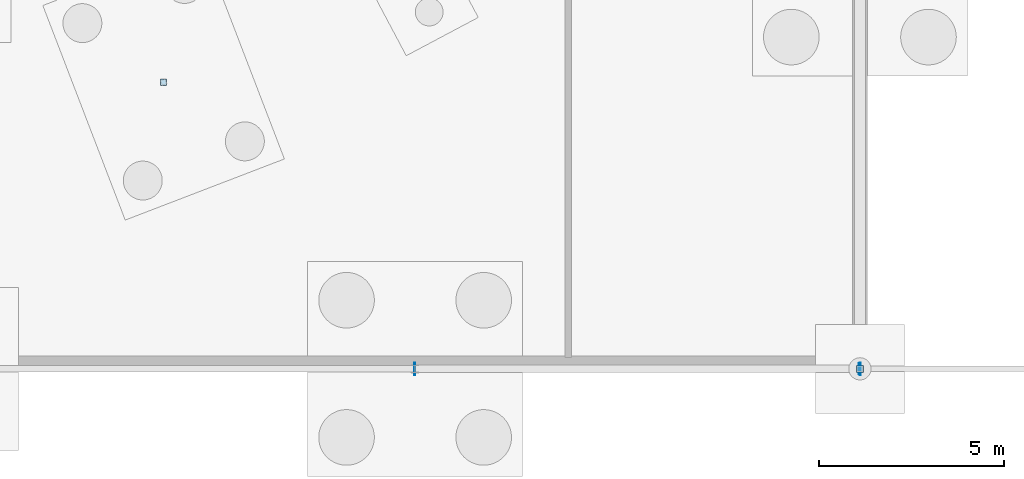
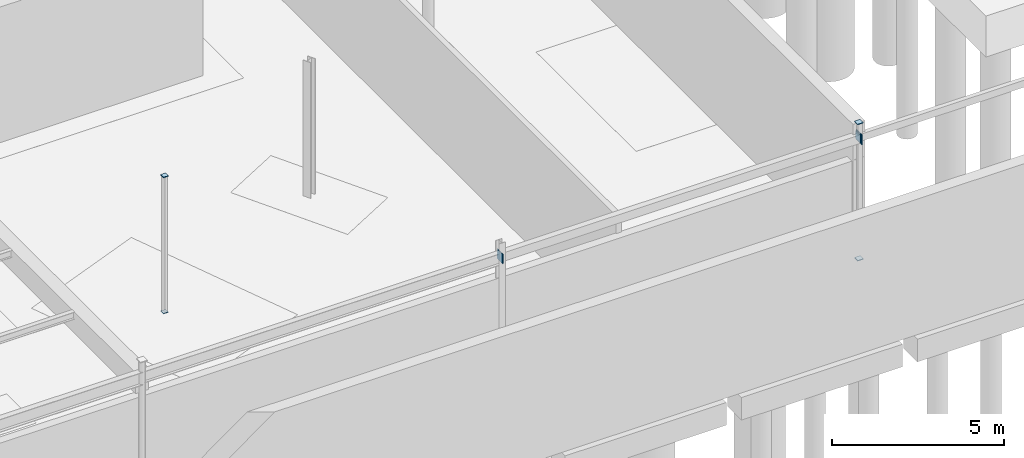
# One storey, part 102 of 136: 7 plates.
"""IFC4 building model written with IfcOpenShell, lengths in metres."""

from ifc_helpers import new_model, si_unit, direction, frame, origin, origin_2d, place, context, subcontext, project, spatial, rectangle, extrude, material, layer, layer_set, type_object, element, save


model = new_model("IFC4")

# Units and contexts
model_context = context("Model", 3, precision=1e-05, world=origin(), true_north=direction((0.0, 1.0)))
body_context = subcontext(model_context, "Body", "Model", "MODEL_VIEW")
ifc_project = project(units=[si_unit("LENGTHUNIT", "METRE"), si_unit("AREAUNIT", "SQUARE_METRE"), si_unit("VOLUMEUNIT", "CUBIC_METRE"), si_unit("PLANEANGLEUNIT", "RADIAN"), si_unit("MASSUNIT", "GRAM", prefix="KILO")], contexts=[model_context])

# Site, building, storey
site_placement = place(None, origin())
site = spatial("IfcSite", under=ifc_project, at=site_placement, CompositionType="ELEMENT")
building_placement = place(site_placement, origin())
building = spatial("IfcBuilding", under=site, at=building_placement, Name="Tarnwether General Hospital", CompositionType="ELEMENT")
storey_placement = place(building_placement, frame((0.0, 0.0, -4.800048828125)))
storey = spatial("IfcBuildingStorey", under=building, at=storey_placement, Name="LG", CompositionType="ELEMENT", Elevation=-4.800048828125)

# Plates
ifc_material = material(Name="Steel Grade 350 (350 MPa)", Category="steel")
ifc_layer = layer(ifc_material, 0.02490234375)
ifc_layer_set = layer_set([ifc_layer], Name="Steel Grade 350 (350 MPa)")
plate_type = type_object("IfcPlateType", Name="PT-GUS2", PredefinedType="USERDEFINED", material=ifc_layer_set)
for number, where, z_axis, x_axis, name in (
    (1, (132.0, 0.0, -0.02490234375), (0.0, 0.0, 1.0), (1.0, 0.0, 0.0), "Hollow Section Welded End Cap Plate 0221"),
    (2, (132.0, 0.0, 4.800048828125), (0.0, 0.0, 1.0), (1.0, 0.0, 0.0), "Hollow Section Welded End Cap Plate 0222"),
):
    element("IfcPlate", number, at=place(storey_placement, frame(where, z_axis=z_axis, x_axis=x_axis)), inside=storey, type_object=plate_type, Name=name, ObjectType="GUSSET", PredefinedType="USERDEFINED", context=body_context, shape_type="SweptSolid", body=[
        extrude(rectangle(XDim=0.18994140625, YDim=0.18994140625, at=origin_2d()), origin(), (0.0, 0.0, 1.0), 0.02490234375),
    ])
for number, where, z_axis, x_axis, name in (
    (3, (113.215087890625, 7.73193359375, -0.02490234375), (0.0, 0.0, 1.0), (1.0, 0.0, 0.0), "Hollow Section Welded End Cap Plate 0717"),
    (4, (113.215087890625, 7.73193359375, 4.800048828125), (0.0, 0.0, 1.0), (1.0, 0.0, 0.0), "Hollow Section Welded End Cap Plate 0718"),
):
    element("IfcPlate", number, at=place(storey_placement, frame(where, z_axis=z_axis, x_axis=x_axis)), inside=storey, type_object=plate_type, Name=name, ObjectType="GUSSET", PredefinedType="USERDEFINED", context=body_context, shape_type="SweptSolid", body=[
        extrude(rectangle(XDim=0.1650390625, YDim=0.1650390625, at=origin_2d()), origin(), (0.0, 0.0, 1.0), 0.02490234375),
    ])
for number, where, z_axis, x_axis, name in (
    (5, (119.987548828125, 0.0, 4.10986328125), (0.0, 0.0, 1.0), (1.0, 0.0, 0.0), "Hollow Section Welded End Cap Plate 0833"),
    (6, (132.012451171875, 0.0, 4.10986328125), (0.0, 0.0, 1.0), (1.0, 0.0, 0.0), "Hollow Section Welded End Cap Plate 0834"),
):
    element("IfcPlate", number, at=place(storey_placement, frame(where, z_axis=z_axis, x_axis=x_axis)), inside=storey, type_object=plate_type, Name=name, ObjectType="GUSSET", PredefinedType="USERDEFINED", context=body_context, shape_type="SweptSolid", body=[
        extrude(rectangle(XDim=0.02490234375, YDim=0.340087890625, at=origin_2d()), origin(), (0.0, 0.0, 1.0), 0.340087890625),
    ])
plate_placement = place(storey_placement, frame((131.987548828125, 0.0, 4.150146484375), z_axis=(0.0, 0.0, 1.0), x_axis=(1.0, 0.0, 0.0)))
element("IfcPlate", 7, at=plate_placement, inside=storey, type_object=plate_type, Name="Hollow Section Welded End Cap Plate 0835", ObjectType="GUSSET", PredefinedType="USERDEFINED", context=body_context, shape_type="SweptSolid", body=[
    extrude(rectangle(XDim=0.02490234375, YDim=0.2900390625, at=origin_2d()), origin(), (0.0, 0.0, 1.0), 0.2900390625),
])

save(model, "model.ifc")
